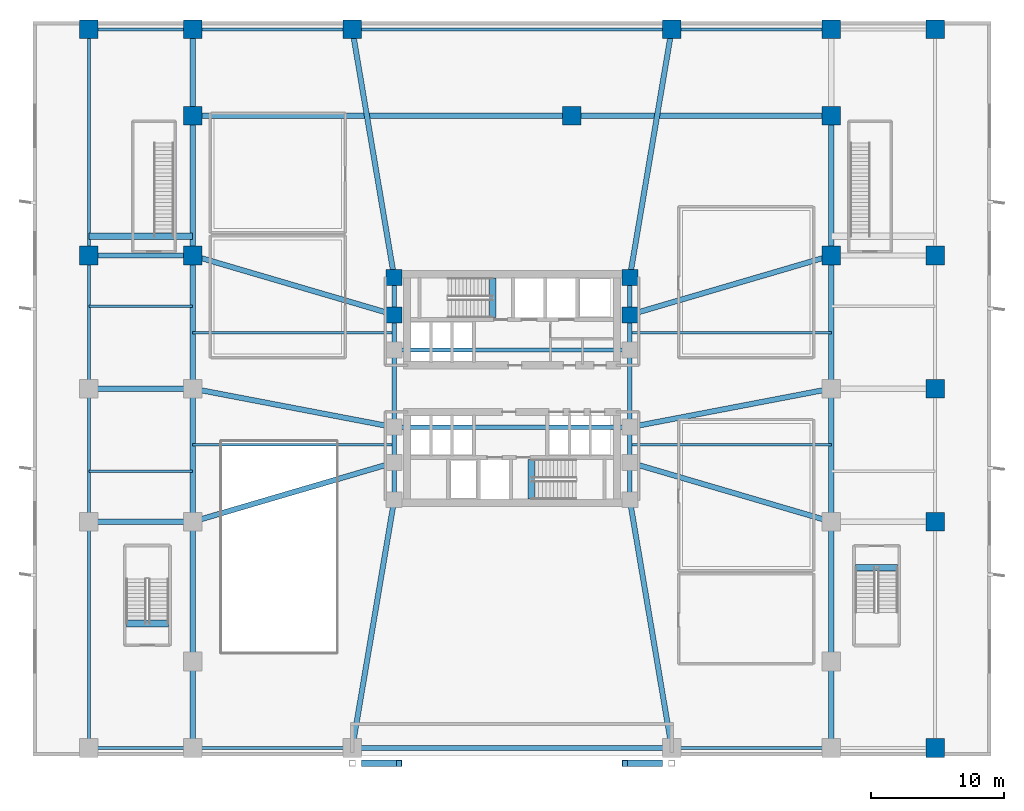
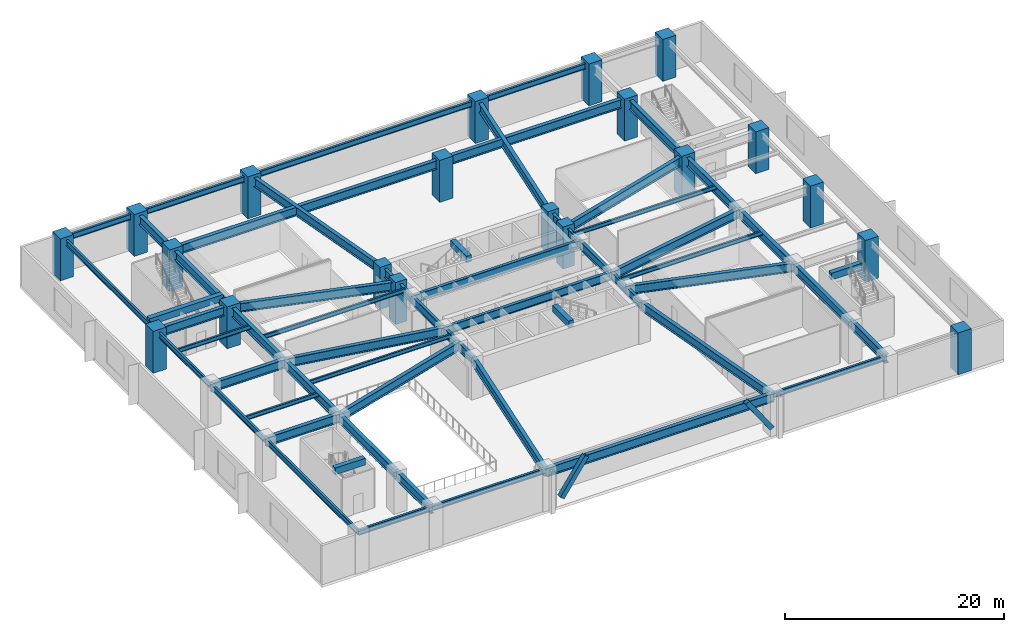
# One storey, part 2 of 12: 61 beams, 20 columns, 2 members.
"""IFC4 building model written with IfcOpenShell, lengths in metres."""

from ifc_helpers import new_model, si_unit, direction, frame, origin, origin_2d, place, context, subcontext, project, spatial, rectangle, hollow_rectangle, i_section, extrude, material, material_profile, profile_set, type_object, element, save


model = new_model("IFC4")

# Units and contexts
model_context = context("Model", 3, precision=1e-05, world=origin(), true_north=direction((0.0, 1.0)))
body_context = subcontext(model_context, "Body", "Model", "MODEL_VIEW")
ifc_project = project(units=[si_unit("LENGTHUNIT", "METRE"), si_unit("AREAUNIT", "SQUARE_METRE"), si_unit("VOLUMEUNIT", "CUBIC_METRE"), si_unit("PLANEANGLEUNIT", "RADIAN"), si_unit("MASSUNIT", "GRAM", prefix="KILO")], contexts=[model_context])

# Site, building, storey
site_placement = place(None, origin())
site = spatial("IfcSite", under=ifc_project, at=site_placement, CompositionType="ELEMENT")
building_placement = place(site_placement, origin())
building = spatial("IfcBuilding", under=site, at=building_placement, Name="Solmarez Civic Tower", CompositionType="ELEMENT")
storey_placement = place(building_placement, frame((0.0, 0.0, 5.39990234375)))
storey = spatial("IfcBuildingStorey", under=building, at=storey_placement, Name="L01", CompositionType="ELEMENT", Elevation=5.39990234375)

# Columns
ifc_material_1 = material(Name="Concrete C60/75", Category="concrete")
ifc_material_profile_1 = material_profile(ifc_material_1, rectangle(XDim=1.199951171875, YDim=1.199951171875, at=origin_2d()), Name="RC1200X1200")
ifc_profile_set_1 = profile_set([ifc_material_profile_1], Name="Concrete C60/75")
column_type_1 = type_object("IfcColumnType", Name="COL-RC1200", PredefinedType="COLUMN", material=ifc_profile_set_1)
for number, where, z_axis, x_axis, name in (
    (1, (-8.85009765625, 5.550048828125, 0.0), (0.0, 0.0, 1.0), (1.0, 0.0, 0.0), "L01 Structural Column HC4"),
    (2, (8.85009765625, 5.550048828125, 0.0), (0.0, 0.0, 1.0), (1.0, 0.0, 0.0), "L01 Structural Column HC8"),
    (3, (-8.85009765625, 8.35009765625, 0.0), (0.0, 0.0, 1.0), (1.0, 0.0, 0.0), "L01 Structural Column HC9"),
    (4, (8.85009765625, 8.35009765625, 0.0), (0.0, 0.0, 1.0), (1.0, 0.0, 0.0), "L01 Structural Column HC11"),
):
    element("IfcColumn", number, at=place(storey_placement, frame(where, z_axis=z_axis, x_axis=x_axis)), inside=storey, type_object=column_type_1, Name=name, PredefinedType="COLUMN", context=body_context, shape_type="SweptSolid", body=[
        extrude(rectangle(XDim=1.199951171875, YDim=1.199951171875, at=origin_2d()), origin(), (0.0, 0.0, 1.0), 4.68017578125),
    ])
ifc_material_profile_2 = material_profile(ifc_material_1, rectangle(XDim=1.39990234375, YDim=1.39990234375, at=origin_2d()), Name="RC1400X1400")
ifc_profile_set_2 = profile_set([ifc_material_profile_2], Name="Concrete C60/75")
column_type_2 = type_object("IfcColumnType", Name="COL-RC1400", PredefinedType="COLUMN", material=ifc_profile_set_2)
for number, where, z_axis, x_axis, name in (
    (5, (31.800048828125, -27.0, 0.0), (0.0, 0.0, 1.0), (1.0, 0.0, 0.0), "L01 Structural Column PC06"),
    (6, (-31.800048828125, 27.0, 0.0), (0.0, 0.0, 1.0), (1.0, 0.0, 0.0), "L01 Structural Column PC07"),
    (7, (-24.0, 27.0, 0.0), (0.0, 0.0, 1.0), (1.0, 0.0, 0.0), "L01 Structural Column PC08"),
    (8, (-12.0, 27.0, 0.0), (0.0, 0.0, 1.0), (1.0, 0.0, 0.0), "L01 Structural Column PC09"),
    (9, (12.0, 27.0, 0.0), (0.0, 0.0, 1.0), (1.0, 0.0, 0.0), "L01 Structural Column PC10"),
    (10, (24.0, 27.0, 0.0), (0.0, 0.0, 1.0), (1.0, 0.0, 0.0), "L01 Structural Column PC11"),
    (11, (31.800048828125, 27.0, 0.0), (0.0, 0.0, 1.0), (1.0, 0.0, 0.0), "L01 Structural Column PC12"),
    (12, (-31.800048828125, 10.0, 0.0), (0.0, 0.0, 1.0), (1.0, 0.0, 0.0), "L01 Structural Column PC15"),
    (13, (31.800048828125, -10.0, 0.0), (0.0, 0.0, 1.0), (1.0, 0.0, 0.0), "L01 Structural Column PC16"),
    (14, (31.800048828125, 0.0, 0.0), (0.0, 0.0, 1.0), (1.0, 0.0, 0.0), "L01 Structural Column PC17"),
    (15, (31.800048828125, 10.0, 0.0), (0.0, 0.0, 1.0), (1.0, 0.0, 0.0), "L01 Structural Column PC18"),
    (16, (-24.0, 10.0, 0.0), (0.0, 0.0, 1.0), (1.0, 0.0, 0.0), "L01 Structural Column PC21"),
    (17, (24.0, 10.0, 0.0), (0.0, 0.0, 1.0), (1.0, 0.0, 0.0), "L01 Structural Column PC24"),
    (18, (4.5, 20.5, 0.0), (0.0, 0.0, 1.0), (1.0, 0.0, 0.0), "L01 Structural Column PC25"),
    (19, (-24.0, 20.5, 0.0), (0.0, 0.0, 1.0), (1.0, 0.0, 0.0), "L01 Structural Column PC29"),
    (20, (24.0, 20.5, 0.0), (0.0, 0.0, 1.0), (1.0, 0.0, 0.0), "L01 Structural Column PC30"),
):
    element("IfcColumn", number, at=place(storey_placement, frame(where, z_axis=z_axis, x_axis=x_axis)), inside=storey, type_object=column_type_2, Name=name, PredefinedType="COLUMN", context=body_context, shape_type="SweptSolid", body=[
        extrude(rectangle(XDim=1.39990234375, YDim=1.39990234375, at=origin_2d()), origin(), (0.0, 0.0, 1.0), 4.68017578125),
    ])

# Beams
ifc_material_2 = material(Name="Steel S355", Category="steel")
ifc_material_profile_3 = material_profile(ifc_material_2, i_section(OverallWidth=0.19189453125, OverallDepth=0.462890625, WebThickness=0.010498046875, FlangeThickness=0.017578125, at=origin_2d()), Name="W18X60")
ifc_profile_set_3 = profile_set([ifc_material_profile_3], Name="Steel S355")
beam_type_1 = type_object("IfcBeamType", Name="BM-JS-W18X60", PredefinedType="JOIST", material=ifc_profile_set_3)
for number, where, z_axis, x_axis, name in (
    (21, (-24.0, -4.199951171875, 4.128173828125), (1.0, 0.0, 0.0), (0.0, 1.0, 0.0), "L01 Secondary Floor Joist JS-L01-WM1"),
    (22, (8.85009765625, -4.199951171875, 4.128173828125), (1.0, 0.0, 0.0), (0.0, 1.0, 0.0), "L01 Secondary Floor Joist JS-L01-EM1"),
):
    element("IfcBeam", number, at=place(storey_placement, frame(where, z_axis=z_axis, x_axis=x_axis)), inside=storey, type_object=beam_type_1, Name=name, PredefinedType="JOIST", context=body_context, shape_type="SweptSolid", body=[
        extrude(i_section(OverallWidth=0.19189453125, OverallDepth=0.462890625, WebThickness=0.010498046875, FlangeThickness=0.017578125, at=origin_2d()), origin(), (0.0, 0.0, 1.0), 15.14990234375),
    ])
beam_1_placement = place(storey_placement, frame((-31.800048828125, -6.199951171875, 4.128173828125), z_axis=(1.0, 0.0, 0.0), x_axis=(0.0, 1.0, 0.0)))
element("IfcBeam", 23, at=beam_1_placement, inside=storey, type_object=beam_type_1, Name="L01 Secondary Floor Joist JS-L01-WW1", PredefinedType="JOIST", context=body_context, shape_type="SweptSolid", body=[
    extrude(i_section(OverallWidth=0.19189453125, OverallDepth=0.462890625, WebThickness=0.010498046875, FlangeThickness=0.017578125, at=origin_2d()), origin(), (0.0, 0.0, 1.0), 7.800048828125),
])
for number, where, z_axis, x_axis, name in (
    (24, (-24.0, 4.199951171875, 4.128173828125), (1.0, 0.0, 0.0), (0.0, 1.0, 0.0), "L01 Secondary Floor Joist JS-L01-WM2"),
    (25, (8.85009765625, 4.199951171875, 4.128173828125), (1.0, 0.0, 0.0), (0.0, 1.0, 0.0), "L01 Secondary Floor Joist JS-L01-EM2"),
):
    element("IfcBeam", number, at=place(storey_placement, frame(where, z_axis=z_axis, x_axis=x_axis)), inside=storey, type_object=beam_type_1, Name=name, PredefinedType="JOIST", context=body_context, shape_type="SweptSolid", body=[
        extrude(i_section(OverallWidth=0.19189453125, OverallDepth=0.462890625, WebThickness=0.010498046875, FlangeThickness=0.017578125, at=origin_2d()), origin(), (0.0, 0.0, 1.0), 15.14990234375),
    ])
beam_2_placement = place(storey_placement, frame((-31.800048828125, 6.199951171875, 4.128173828125), z_axis=(1.0, 0.0, 0.0), x_axis=(0.0, 1.0, 0.0)))
element("IfcBeam", 26, at=beam_2_placement, inside=storey, type_object=beam_type_1, Name="L01 Secondary Floor Joist JS-L01-WW2", PredefinedType="JOIST", context=body_context, shape_type="SweptSolid", body=[
    extrude(i_section(OverallWidth=0.19189453125, OverallDepth=0.462890625, WebThickness=0.010498046875, FlangeThickness=0.017578125, at=origin_2d()), origin(), (0.0, 0.0, 1.0), 7.800048828125),
])
ifc_material_3 = material(Name="Concrete C50/60", Category="concrete")
ifc_material_profile_4 = material_profile(ifc_material_3, rectangle(XDim=0.5, YDim=0.75, at=origin_2d()), Name="RC500X750")
ifc_profile_set_4 = profile_set([ifc_material_profile_4], Name="Concrete C50/60")
beam_type_2 = type_object("IfcBeamType", Name="BM-PR-RC500X750", PredefinedType="BEAM", material=ifc_profile_set_4)
for number, where, z_axis, x_axis, name in (
    (27, (-1.449951171875, 5.340087890625, 4.31298828125), (0.0, 1.0, 0.0), (-1.0, 0.0, 0.0), "L01 North Stair Threshold Beam"),
    (28, (1.449951171875, -8.300048828125, 4.31298828125), (0.0, 1.0, 0.0), (-1.0, 0.0, 0.0), "L01 South Stair Threshold Beam"),
):
    element("IfcBeam", number, at=place(storey_placement, frame(where, z_axis=z_axis, x_axis=x_axis)), inside=storey, type_object=beam_type_2, Name=name, PredefinedType="BEAM", context=body_context, shape_type="SweptSolid", body=[
        extrude(rectangle(XDim=0.5, YDim=0.75, at=origin_2d()), origin(), (0.0, 0.0, 1.0), 2.9599609375),
    ])
for number, where, z_axis, x_axis, name in (
    (29, (-28.97998046875, -17.64990234375, 4.31103515625), (1.0, 0.0, 0.0), (0.0, 1.0, 0.0), "L01 West Podium Stair Threshold Beam"),
    (30, (25.820068359375, -13.449951171875, 4.31103515625), (1.0, 0.0, 0.0), (0.0, 1.0, 0.0), "L01 East Podium Stair Threshold Beam"),
):
    element("IfcBeam", number, at=place(storey_placement, frame(where, z_axis=z_axis, x_axis=x_axis)), inside=storey, type_object=beam_type_2, Name=name, PredefinedType="BEAM", context=body_context, shape_type="SweptSolid", body=[
        extrude(rectangle(XDim=0.5, YDim=0.75, at=origin_2d()), origin(), (0.0, 0.0, 1.0), 3.159912109375),
    ])
beam_3_placement = place(storey_placement, frame((-31.800048828125, 11.449951171875, 4.31103515625), z_axis=(1.0, 0.0, 0.0), x_axis=(0.0, 1.0, 0.0)))
element("IfcBeam", 31, at=beam_3_placement, inside=storey, type_object=beam_type_2, Name="L01 Atrium Stair Bottom Threshold Beam P3", PredefinedType="BEAM", context=body_context, shape_type="SweptSolid", body=[
    extrude(rectangle(XDim=0.5, YDim=0.75, at=origin_2d()), origin(), (0.0, 0.0, 1.0), 7.800048828125),
])
ifc_material_profile_5 = material_profile(ifc_material_2, i_section(OverallWidth=0.306884765625, OverallDepth=0.927001953125, WebThickness=0.019287109375, FlangeThickness=0.031982421875, at=origin_2d()), Name="W36X194")
ifc_profile_set_5 = profile_set([ifc_material_profile_5], Name="Steel S355")
beam_type_3 = type_object("IfcBeamType", Name="BM-PR-W36X194", PredefinedType="BEAM", material=ifc_profile_set_5)
beam_4_placement = place(storey_placement, frame((-8.85009765625, -8.35009765625, 3.89599609375), z_axis=(0.0, 1.0, 0.0), x_axis=(-1.0, 0.0, 0.0)))
element("IfcBeam", 32, at=beam_4_placement, inside=storey, type_object=beam_type_3, Name="L01 Primary Floor Beam BM-L01-HC12-HC1", PredefinedType="BEAM", context=body_context, shape_type="SweptSolid", body=[
    extrude(i_section(OverallWidth=0.306884765625, OverallDepth=0.927001953125, WebThickness=0.019287109375, FlangeThickness=0.031982421875, at=origin_2d()), origin(), (0.0, 0.0, 1.0), 2.800048828125),
])
beam_5_placement = place(storey_placement, frame((-8.85009765625, -5.550048828125, 3.89599609375), z_axis=(0.0, 1.0, 0.0), x_axis=(-1.0, 0.0, 0.0)))
element("IfcBeam", 33, at=beam_5_placement, inside=storey, type_object=beam_type_3, Name="L01 Primary Floor Beam BM-L01-HC1-HC2", PredefinedType="BEAM", context=body_context, shape_type="SweptSolid", body=[
    extrude(i_section(OverallWidth=0.306884765625, OverallDepth=0.927001953125, WebThickness=0.019287109375, FlangeThickness=0.031982421875, at=origin_2d()), origin(), (0.0, 0.0, 1.0), 2.650146484375),
])
beam_6_placement = place(storey_placement, frame((-8.85009765625, -2.89990234375, 3.89599609375), z_axis=(0.0, 1.0, 0.0), x_axis=(-1.0, 0.0, 0.0)))
element("IfcBeam", 34, at=beam_6_placement, inside=storey, type_object=beam_type_3, Name="L01 Primary Floor Beam BM-L01-HC2-HC3", PredefinedType="BEAM", context=body_context, shape_type="SweptSolid", body=[
    extrude(i_section(OverallWidth=0.306884765625, OverallDepth=0.927001953125, WebThickness=0.019287109375, FlangeThickness=0.031982421875, at=origin_2d()), origin(), (0.0, 0.0, 1.0), 5.7998046875),
])
beam_7_placement = place(storey_placement, frame((-8.85009765625, 2.89990234375, 3.89599609375), z_axis=(0.0, 1.0, 0.0), x_axis=(-1.0, 0.0, 0.0)))
element("IfcBeam", 35, at=beam_7_placement, inside=storey, type_object=beam_type_3, Name="L01 Primary Floor Beam BM-L01-HC3-HC4", PredefinedType="BEAM", context=body_context, shape_type="SweptSolid", body=[
    extrude(i_section(OverallWidth=0.306884765625, OverallDepth=0.927001953125, WebThickness=0.019287109375, FlangeThickness=0.031982421875, at=origin_2d()), origin(), (0.0, 0.0, 1.0), 2.650146484375),
])
for number, where, z_axis, x_axis, name in (
    (36, (-8.85009765625, 5.550048828125, 3.89599609375), (0.0, 1.0, 0.0), (-1.0, 0.0, 0.0), "L01 Primary Floor Beam BM-L01-HC4-HC9"),
    (37, (8.85009765625, -8.35009765625, 3.89599609375), (0.0, 1.0, 0.0), (-1.0, 0.0, 0.0), "L01 Primary Floor Beam BM-L01-HC10-HC5"),
):
    element("IfcBeam", number, at=place(storey_placement, frame(where, z_axis=z_axis, x_axis=x_axis)), inside=storey, type_object=beam_type_3, Name=name, PredefinedType="BEAM", context=body_context, shape_type="SweptSolid", body=[
        extrude(i_section(OverallWidth=0.306884765625, OverallDepth=0.927001953125, WebThickness=0.019287109375, FlangeThickness=0.031982421875, at=origin_2d()), origin(), (0.0, 0.0, 1.0), 2.800048828125),
    ])
beam_8_placement = place(storey_placement, frame((8.85009765625, -5.550048828125, 3.89599609375), z_axis=(0.0, 1.0, 0.0), x_axis=(-1.0, 0.0, 0.0)))
element("IfcBeam", 38, at=beam_8_placement, inside=storey, type_object=beam_type_3, Name="L01 Primary Floor Beam BM-L01-HC5-HC6", PredefinedType="BEAM", context=body_context, shape_type="SweptSolid", body=[
    extrude(i_section(OverallWidth=0.306884765625, OverallDepth=0.927001953125, WebThickness=0.019287109375, FlangeThickness=0.031982421875, at=origin_2d()), origin(), (0.0, 0.0, 1.0), 2.650146484375),
])
beam_9_placement = place(storey_placement, frame((8.85009765625, -2.89990234375, 3.89599609375), z_axis=(0.0, 1.0, 0.0), x_axis=(-1.0, 0.0, 0.0)))
element("IfcBeam", 39, at=beam_9_placement, inside=storey, type_object=beam_type_3, Name="L01 Primary Floor Beam BM-L01-HC6-HC7", PredefinedType="BEAM", context=body_context, shape_type="SweptSolid", body=[
    extrude(i_section(OverallWidth=0.306884765625, OverallDepth=0.927001953125, WebThickness=0.019287109375, FlangeThickness=0.031982421875, at=origin_2d()), origin(), (0.0, 0.0, 1.0), 5.7998046875),
])
beam_10_placement = place(storey_placement, frame((8.85009765625, 2.89990234375, 3.89599609375), z_axis=(0.0, 1.0, 0.0), x_axis=(-1.0, 0.0, 0.0)))
element("IfcBeam", 40, at=beam_10_placement, inside=storey, type_object=beam_type_3, Name="L01 Primary Floor Beam BM-L01-HC7-HC8", PredefinedType="BEAM", context=body_context, shape_type="SweptSolid", body=[
    extrude(i_section(OverallWidth=0.306884765625, OverallDepth=0.927001953125, WebThickness=0.019287109375, FlangeThickness=0.031982421875, at=origin_2d()), origin(), (0.0, 0.0, 1.0), 2.650146484375),
])
beam_11_placement = place(storey_placement, frame((8.85009765625, 5.550048828125, 3.89599609375), z_axis=(0.0, 1.0, 0.0), x_axis=(-1.0, 0.0, 0.0)))
element("IfcBeam", 41, at=beam_11_placement, inside=storey, type_object=beam_type_3, Name="L01 Primary Floor Beam BM-L01-HC8-HC11", PredefinedType="BEAM", context=body_context, shape_type="SweptSolid", body=[
    extrude(i_section(OverallWidth=0.306884765625, OverallDepth=0.927001953125, WebThickness=0.019287109375, FlangeThickness=0.031982421875, at=origin_2d()), origin(), (0.0, 0.0, 1.0), 2.800048828125),
])
for number, where, z_axis, x_axis, name in (
    (42, (-8.85009765625, -2.89990234375, 3.89599609375), (1.0, 0.0, 0.0), (0.0, 1.0, 0.0), "L01 Primary Floor Beam BM-L01-HC2-HC6"),
    (43, (-8.85009765625, 2.89990234375, 3.89599609375), (1.0, 0.0, 0.0), (0.0, 1.0, 0.0), "L01 Primary Floor Beam BM-L01-HC3-HC7"),
):
    element("IfcBeam", number, at=place(storey_placement, frame(where, z_axis=z_axis, x_axis=x_axis)), inside=storey, type_object=beam_type_3, Name=name, PredefinedType="BEAM", context=body_context, shape_type="SweptSolid", body=[
        extrude(i_section(OverallWidth=0.306884765625, OverallDepth=0.927001953125, WebThickness=0.019287109375, FlangeThickness=0.031982421875, at=origin_2d()), origin(), (0.0, 0.0, 1.0), 17.7001953125),
    ])
ifc_material_profile_6 = material_profile(ifc_material_2, i_section(OverallWidth=0.39892578125, OverallDepth=0.98193359375, WebThickness=0.0166015625, FlangeThickness=0.027099609375, at=origin_2d()), Name="W40X199")
ifc_profile_set_6 = profile_set([ifc_material_profile_6], Name="Steel S355")
beam_type_4 = type_object("IfcBeamType", Name="BM-PR-W40X199", PredefinedType="BEAM", material=ifc_profile_set_6)
beam_12_placement = place(storey_placement, frame((-12.0, -27.0, 3.869140625), z_axis=(1.0, 0.0, 0.0), x_axis=(0.0, 1.0, 0.0)))
element("IfcBeam", 44, at=beam_12_placement, inside=storey, type_object=beam_type_4, Name="L01 Primary Floor Beam BM-L01-PC03-PC04", PredefinedType="BEAM", context=body_context, shape_type="SweptSolid", body=[
    extrude(i_section(OverallWidth=0.39892578125, OverallDepth=0.98193359375, WebThickness=0.0166015625, FlangeThickness=0.027099609375, at=origin_2d()), origin(), (0.0, 0.0, 1.0), 24.0),
])
beam_13_placement = place(storey_placement, frame((-24.0, 20.5, 3.869140625), z_axis=(1.0, 0.0, 0.0), x_axis=(0.0, 1.0, 0.0)))
element("IfcBeam", 45, at=beam_13_placement, inside=storey, type_object=beam_type_4, Name="L01 Primary Floor Beam BM-L01-PC29-PC25", PredefinedType="BEAM", context=body_context, shape_type="SweptSolid", body=[
    extrude(i_section(OverallWidth=0.39892578125, OverallDepth=0.98193359375, WebThickness=0.0166015625, FlangeThickness=0.027099609375, at=origin_2d()), origin(), (0.0, 0.0, 1.0), 28.5),
])
beam_14_placement = place(storey_placement, frame((4.5, 20.5, 3.869140625), z_axis=(1.0, 0.0, 0.0), x_axis=(0.0, 1.0, 0.0)))
element("IfcBeam", 46, at=beam_14_placement, inside=storey, type_object=beam_type_4, Name="L01 Primary Floor Beam BM-L01-PC25-PC30", PredefinedType="BEAM", context=body_context, shape_type="SweptSolid", body=[
    extrude(i_section(OverallWidth=0.39892578125, OverallDepth=0.98193359375, WebThickness=0.0166015625, FlangeThickness=0.027099609375, at=origin_2d()), origin(), (0.0, 0.0, 1.0), 19.5),
])
beam_15_placement = place(storey_placement, frame((-24.0, -27.0, 3.869140625), z_axis=(0.0, 1.0, 0.0), x_axis=(-1.0, 0.0, 0.0)))
element("IfcBeam", 47, at=beam_15_placement, inside=storey, type_object=beam_type_4, Name="L01 Primary Floor Beam BM-L01-PC02-PC27", PredefinedType="BEAM", context=body_context, shape_type="SweptSolid", body=[
    extrude(i_section(OverallWidth=0.39892578125, OverallDepth=0.98193359375, WebThickness=0.0166015625, FlangeThickness=0.027099609375, at=origin_2d()), origin(), (0.0, 0.0, 1.0), 6.5),
])
beam_16_placement = place(storey_placement, frame((-24.0, -20.5, 3.869140625), z_axis=(0.0, 1.0, 0.0), x_axis=(-1.0, 0.0, 0.0)))
element("IfcBeam", 48, at=beam_16_placement, inside=storey, type_object=beam_type_4, Name="L01 Primary Floor Beam BM-L01-PC27-PC19", PredefinedType="BEAM", context=body_context, shape_type="SweptSolid", body=[
    extrude(i_section(OverallWidth=0.39892578125, OverallDepth=0.98193359375, WebThickness=0.0166015625, FlangeThickness=0.027099609375, at=origin_2d()), origin(), (0.0, 0.0, 1.0), 10.5),
])
for number, where, z_axis, x_axis, name in (
    (49, (-24.0, -10.0, 3.869140625), (0.0, 1.0, 0.0), (-1.0, 0.0, 0.0), "L01 Primary Floor Beam BM-L01-PC19-PC20"),
    (50, (-24.0, 0.0, 3.869140625), (0.0, 1.0, 0.0), (-1.0, 0.0, 0.0), "L01 Primary Floor Beam BM-L01-PC20-PC21"),
):
    element("IfcBeam", number, at=place(storey_placement, frame(where, z_axis=z_axis, x_axis=x_axis)), inside=storey, type_object=beam_type_4, Name=name, PredefinedType="BEAM", context=body_context, shape_type="SweptSolid", body=[
        extrude(i_section(OverallWidth=0.39892578125, OverallDepth=0.98193359375, WebThickness=0.0166015625, FlangeThickness=0.027099609375, at=origin_2d()), origin(), (0.0, 0.0, 1.0), 10.0),
    ])
beam_17_placement = place(storey_placement, frame((-24.0, 10.0, 3.869140625), z_axis=(0.0, 1.0, 0.0), x_axis=(-1.0, 0.0, 0.0)))
element("IfcBeam", 51, at=beam_17_placement, inside=storey, type_object=beam_type_4, Name="L01 Primary Floor Beam BM-L01-PC21-PC29", PredefinedType="BEAM", context=body_context, shape_type="SweptSolid", body=[
    extrude(i_section(OverallWidth=0.39892578125, OverallDepth=0.98193359375, WebThickness=0.0166015625, FlangeThickness=0.027099609375, at=origin_2d()), origin(), (0.0, 0.0, 1.0), 10.5),
])
for number, where, z_axis, x_axis, name in (
    (52, (-24.0, 20.5, 3.869140625), (0.0, 1.0, 0.0), (-1.0, 0.0, 0.0), "L01 Primary Floor Beam BM-L01-PC29-PC08"),
    (53, (24.0, -27.0, 3.869140625), (0.0, 1.0, 0.0), (-1.0, 0.0, 0.0), "L01 Primary Floor Beam BM-L01-PC05-PC28"),
):
    element("IfcBeam", number, at=place(storey_placement, frame(where, z_axis=z_axis, x_axis=x_axis)), inside=storey, type_object=beam_type_4, Name=name, PredefinedType="BEAM", context=body_context, shape_type="SweptSolid", body=[
        extrude(i_section(OverallWidth=0.39892578125, OverallDepth=0.98193359375, WebThickness=0.0166015625, FlangeThickness=0.027099609375, at=origin_2d()), origin(), (0.0, 0.0, 1.0), 6.5),
    ])
beam_18_placement = place(storey_placement, frame((24.0, -20.5, 3.869140625), z_axis=(0.0, 1.0, 0.0), x_axis=(-1.0, 0.0, 0.0)))
element("IfcBeam", 54, at=beam_18_placement, inside=storey, type_object=beam_type_4, Name="L01 Primary Floor Beam BM-L01-PC28-PC22", PredefinedType="BEAM", context=body_context, shape_type="SweptSolid", body=[
    extrude(i_section(OverallWidth=0.39892578125, OverallDepth=0.98193359375, WebThickness=0.0166015625, FlangeThickness=0.027099609375, at=origin_2d()), origin(), (0.0, 0.0, 1.0), 10.5),
])
for number, where, z_axis, x_axis, name in (
    (55, (24.0, -10.0, 3.869140625), (0.0, 1.0, 0.0), (-1.0, 0.0, 0.0), "L01 Primary Floor Beam BM-L01-PC22-PC23"),
    (56, (24.0, 0.0, 3.869140625), (0.0, 1.0, 0.0), (-1.0, 0.0, 0.0), "L01 Primary Floor Beam BM-L01-PC23-PC24"),
):
    element("IfcBeam", number, at=place(storey_placement, frame(where, z_axis=z_axis, x_axis=x_axis)), inside=storey, type_object=beam_type_4, Name=name, PredefinedType="BEAM", context=body_context, shape_type="SweptSolid", body=[
        extrude(i_section(OverallWidth=0.39892578125, OverallDepth=0.98193359375, WebThickness=0.0166015625, FlangeThickness=0.027099609375, at=origin_2d()), origin(), (0.0, 0.0, 1.0), 10.0),
    ])
beam_19_placement = place(storey_placement, frame((24.0, 10.0, 3.869140625), z_axis=(0.0, 1.0, 0.0), x_axis=(-1.0, 0.0, 0.0)))
element("IfcBeam", 57, at=beam_19_placement, inside=storey, type_object=beam_type_4, Name="L01 Primary Floor Beam BM-L01-PC24-PC30", PredefinedType="BEAM", context=body_context, shape_type="SweptSolid", body=[
    extrude(i_section(OverallWidth=0.39892578125, OverallDepth=0.98193359375, WebThickness=0.0166015625, FlangeThickness=0.027099609375, at=origin_2d()), origin(), (0.0, 0.0, 1.0), 10.5),
])
for number, where, z_axis, x_axis, name in (
    (58, (-31.800048828125, -10.0, 3.869140625), (1.0, 0.0, 0.0), (0.0, 1.0, 0.0), "L01 Primary Floor Beam BM-L01-PC13-PC19"),
    (59, (-31.800048828125, 0.0, 3.869140625), (1.0, 0.0, 0.0), (0.0, 1.0, 0.0), "L01 Primary Floor Beam BM-L01-PC14-PC20"),
    (60, (-31.800048828125, 10.0, 3.869140625), (1.0, 0.0, 0.0), (0.0, 1.0, 0.0), "L01 Primary Floor Beam BM-L01-PC15-PC21"),
):
    element("IfcBeam", number, at=place(storey_placement, frame(where, z_axis=z_axis, x_axis=x_axis)), inside=storey, type_object=beam_type_4, Name=name, PredefinedType="BEAM", context=body_context, shape_type="SweptSolid", body=[
        extrude(i_section(OverallWidth=0.39892578125, OverallDepth=0.98193359375, WebThickness=0.0166015625, FlangeThickness=0.027099609375, at=origin_2d()), origin(), (0.0, 0.0, 1.0), 7.800048828125),
    ])
beam_20_placement = place(storey_placement, frame((-24.0, -10.0, 3.869140625), z_axis=(0.959466630969, 0.281822256143, 0.0), x_axis=(-0.281822256143, 0.959466630969, 0.0)))
element("IfcBeam", 61, at=beam_20_placement, inside=storey, type_object=beam_type_4, Name="L01 Primary Floor Beam BM-L01-PC19-HC1", PredefinedType="BEAM", context=body_context, shape_type="SweptSolid", body=[
    extrude(i_section(OverallWidth=0.39892578125, OverallDepth=0.98193359375, WebThickness=0.0166015625, FlangeThickness=0.027099609375, at=origin_2d()), origin(), (0.0, 0.0, 1.0), 15.7900390625),
])
beam_21_placement = place(storey_placement, frame((-24.0, 0.0, 3.869140625), z_axis=(0.982168874333, -0.188000803966, 0.0), x_axis=(0.188000803966, 0.982168874333, 0.0)))
element("IfcBeam", 62, at=beam_21_placement, inside=storey, type_object=beam_type_4, Name="L01 Primary Floor Beam BM-L01-PC20-HC2", PredefinedType="BEAM", context=body_context, shape_type="SweptSolid", body=[
    extrude(i_section(OverallWidth=0.39892578125, OverallDepth=0.98193359375, WebThickness=0.0166015625, FlangeThickness=0.027099609375, at=origin_2d()), origin(), (0.0, 0.0, 1.0), 15.425048828125),
])
for number, where, z_axis, x_axis, name in (
    (63, (-24.0, 10.0, 3.869140625), (0.959466630969, -0.281822256143, 0.0), (0.281822256143, 0.959466630969, 0.0), "L01 Primary Floor Beam BM-L01-PC21-HC4"),
    (64, (24.0, -10.0, 3.869140625), (-0.959466630969, 0.281822256143, 0.0), (-0.281822256143, -0.959466630969, 0.0), "L01 Primary Floor Beam BM-L01-PC22-HC5"),
):
    element("IfcBeam", number, at=place(storey_placement, frame(where, z_axis=z_axis, x_axis=x_axis)), inside=storey, type_object=beam_type_4, Name=name, PredefinedType="BEAM", context=body_context, shape_type="SweptSolid", body=[
        extrude(i_section(OverallWidth=0.39892578125, OverallDepth=0.98193359375, WebThickness=0.0166015625, FlangeThickness=0.027099609375, at=origin_2d()), origin(), (0.0, 0.0, 1.0), 15.7900390625),
    ])
beam_22_placement = place(storey_placement, frame((24.0, 0.0, 3.869140625), z_axis=(-0.982168874333, -0.188000803966, 0.0), x_axis=(0.188000803966, -0.982168874333, 0.0)))
element("IfcBeam", 65, at=beam_22_placement, inside=storey, type_object=beam_type_4, Name="L01 Primary Floor Beam BM-L01-PC23-HC6", PredefinedType="BEAM", context=body_context, shape_type="SweptSolid", body=[
    extrude(i_section(OverallWidth=0.39892578125, OverallDepth=0.98193359375, WebThickness=0.0166015625, FlangeThickness=0.027099609375, at=origin_2d()), origin(), (0.0, 0.0, 1.0), 15.425048828125),
])
beam_23_placement = place(storey_placement, frame((24.0, 10.0, 3.869140625), z_axis=(-0.959466630969, -0.281822256143, 0.0), x_axis=(0.281822256143, -0.959466630969, 0.0)))
element("IfcBeam", 66, at=beam_23_placement, inside=storey, type_object=beam_type_4, Name="L01 Primary Floor Beam BM-L01-PC24-HC8", PredefinedType="BEAM", context=body_context, shape_type="SweptSolid", body=[
    extrude(i_section(OverallWidth=0.39892578125, OverallDepth=0.98193359375, WebThickness=0.0166015625, FlangeThickness=0.027099609375, at=origin_2d()), origin(), (0.0, 0.0, 1.0), 15.7900390625),
])
for number, where, z_axis, x_axis, name in (
    (67, (-12.0, -27.0, 3.869140625), (0.166537824737, 0.986035066786, 0.0), (-0.986035066786, 0.166537824737, 0.0), "L01 Primary Floor Beam BM-L01-PC03-HC12"),
    (68, (12.0, -27.0, 3.869140625), (-0.166537824737, 0.986035066786, 0.0), (-0.986035066786, -0.166537824737, 0.0), "L01 Primary Floor Beam BM-L01-PC04-HC10"),
    (69, (-12.0, 27.0, 3.869140625), (0.166537824737, -0.986035066786, 0.0), (0.986035066786, 0.166537824737, 0.0), "L01 Primary Floor Beam BM-L01-PC09-HC9"),
    (70, (12.0, 27.0, 3.869140625), (-0.166537824737, -0.986035066786, 0.0), (0.986035066786, -0.166537824737, 0.0), "L01 Primary Floor Beam BM-L01-PC10-HC11"),
):
    element("IfcBeam", number, at=place(storey_placement, frame(where, z_axis=z_axis, x_axis=x_axis)), inside=storey, type_object=beam_type_4, Name=name, PredefinedType="BEAM", context=body_context, shape_type="SweptSolid", body=[
        extrude(i_section(OverallWidth=0.39892578125, OverallDepth=0.98193359375, WebThickness=0.0166015625, FlangeThickness=0.027099609375, at=origin_2d()), origin(), (0.0, 0.0, 1.0), 18.9140625),
    ])
ifc_material_profile_7 = material_profile(ifc_material_2, i_section(OverallWidth=0.22900390625, OverallDepth=0.612060546875, WebThickness=0.011962890625, FlangeThickness=0.01953125, at=origin_2d()), Name="W24X84")
ifc_profile_set_7 = profile_set([ifc_material_profile_7], Name="Steel S355")
beam_type_5 = type_object("IfcBeamType", Name="BM-SP-W24X84", PredefinedType="SPANDREL", material=ifc_profile_set_7)
beam_24_placement = place(storey_placement, frame((-31.800048828125, -27.0, 4.05419921875), z_axis=(1.0, 0.0, 0.0), x_axis=(0.0, 1.0, 0.0)))
element("IfcBeam", 71, at=beam_24_placement, inside=storey, type_object=beam_type_5, Name="L01 Perimeter Spandrel Beam BM-L01-PC01-PC02", PredefinedType="SPANDREL", context=body_context, shape_type="SweptSolid", body=[
    extrude(i_section(OverallWidth=0.22900390625, OverallDepth=0.612060546875, WebThickness=0.011962890625, FlangeThickness=0.01953125, at=origin_2d()), origin(), (0.0, 0.0, 1.0), 7.800048828125),
])
for number, where, z_axis, x_axis, name in (
    (72, (-24.0, -27.0, 4.05419921875), (1.0, 0.0, 0.0), (0.0, 1.0, 0.0), "L01 Perimeter Spandrel Beam BM-L01-PC02-PC03"),
    (73, (12.0, -27.0, 4.05419921875), (1.0, 0.0, 0.0), (0.0, 1.0, 0.0), "L01 Perimeter Spandrel Beam BM-L01-PC04-PC05"),
):
    element("IfcBeam", number, at=place(storey_placement, frame(where, z_axis=z_axis, x_axis=x_axis)), inside=storey, type_object=beam_type_5, Name=name, PredefinedType="SPANDREL", context=body_context, shape_type="SweptSolid", body=[
        extrude(i_section(OverallWidth=0.22900390625, OverallDepth=0.612060546875, WebThickness=0.011962890625, FlangeThickness=0.01953125, at=origin_2d()), origin(), (0.0, 0.0, 1.0), 12.0),
    ])
beam_25_placement = place(storey_placement, frame((-31.800048828125, 27.0, 4.05419921875), z_axis=(1.0, 0.0, 0.0), x_axis=(0.0, 1.0, 0.0)))
element("IfcBeam", 74, at=beam_25_placement, inside=storey, type_object=beam_type_5, Name="L01 Perimeter Spandrel Beam BM-L01-PC07-PC08", PredefinedType="SPANDREL", context=body_context, shape_type="SweptSolid", body=[
    extrude(i_section(OverallWidth=0.22900390625, OverallDepth=0.612060546875, WebThickness=0.011962890625, FlangeThickness=0.01953125, at=origin_2d()), origin(), (0.0, 0.0, 1.0), 7.800048828125),
])
beam_26_placement = place(storey_placement, frame((-24.0, 27.0, 4.05419921875), z_axis=(1.0, 0.0, 0.0), x_axis=(0.0, 1.0, 0.0)))
element("IfcBeam", 75, at=beam_26_placement, inside=storey, type_object=beam_type_5, Name="L01 Perimeter Spandrel Beam BM-L01-PC08-PC09", PredefinedType="SPANDREL", context=body_context, shape_type="SweptSolid", body=[
    extrude(i_section(OverallWidth=0.22900390625, OverallDepth=0.612060546875, WebThickness=0.011962890625, FlangeThickness=0.01953125, at=origin_2d()), origin(), (0.0, 0.0, 1.0), 12.0),
])
beam_27_placement = place(storey_placement, frame((-12.0, 27.0, 4.05419921875), z_axis=(1.0, 0.0, 0.0), x_axis=(0.0, 1.0, 0.0)))
element("IfcBeam", 76, at=beam_27_placement, inside=storey, type_object=beam_type_5, Name="L01 Perimeter Spandrel Beam BM-L01-PC09-PC10", PredefinedType="SPANDREL", context=body_context, shape_type="SweptSolid", body=[
    extrude(i_section(OverallWidth=0.22900390625, OverallDepth=0.612060546875, WebThickness=0.011962890625, FlangeThickness=0.01953125, at=origin_2d()), origin(), (0.0, 0.0, 1.0), 24.0),
])
beam_28_placement = place(storey_placement, frame((12.0, 27.0, 4.05419921875), z_axis=(1.0, 0.0, 0.0), x_axis=(0.0, 1.0, 0.0)))
element("IfcBeam", 77, at=beam_28_placement, inside=storey, type_object=beam_type_5, Name="L01 Perimeter Spandrel Beam BM-L01-PC10-PC11", PredefinedType="SPANDREL", context=body_context, shape_type="SweptSolid", body=[
    extrude(i_section(OverallWidth=0.22900390625, OverallDepth=0.612060546875, WebThickness=0.011962890625, FlangeThickness=0.01953125, at=origin_2d()), origin(), (0.0, 0.0, 1.0), 12.0),
])
beam_29_placement = place(storey_placement, frame((-31.800048828125, -27.0, 4.05419921875), z_axis=(0.0, 1.0, 0.0), x_axis=(-1.0, 0.0, 0.0)))
element("IfcBeam", 78, at=beam_29_placement, inside=storey, type_object=beam_type_5, Name="L01 Perimeter Spandrel Beam BM-L01-PC01-PC13", PredefinedType="SPANDREL", context=body_context, shape_type="SweptSolid", body=[
    extrude(i_section(OverallWidth=0.22900390625, OverallDepth=0.612060546875, WebThickness=0.011962890625, FlangeThickness=0.01953125, at=origin_2d()), origin(), (0.0, 0.0, 1.0), 17.0),
])
for number, where, z_axis, x_axis, name in (
    (79, (-31.800048828125, -10.0, 4.05419921875), (0.0, 1.0, 0.0), (-1.0, 0.0, 0.0), "L01 Perimeter Spandrel Beam BM-L01-PC13-PC14"),
    (80, (-31.800048828125, 0.0, 4.05419921875), (0.0, 1.0, 0.0), (-1.0, 0.0, 0.0), "L01 Perimeter Spandrel Beam BM-L01-PC14-PC15"),
):
    element("IfcBeam", number, at=place(storey_placement, frame(where, z_axis=z_axis, x_axis=x_axis)), inside=storey, type_object=beam_type_5, Name=name, PredefinedType="SPANDREL", context=body_context, shape_type="SweptSolid", body=[
        extrude(i_section(OverallWidth=0.22900390625, OverallDepth=0.612060546875, WebThickness=0.011962890625, FlangeThickness=0.01953125, at=origin_2d()), origin(), (0.0, 0.0, 1.0), 10.0),
    ])
beam_30_placement = place(storey_placement, frame((-31.800048828125, 10.0, 4.05419921875), z_axis=(0.0, 1.0, 0.0), x_axis=(-1.0, 0.0, 0.0)))
element("IfcBeam", 81, at=beam_30_placement, inside=storey, type_object=beam_type_5, Name="L01 Perimeter Spandrel Beam BM-L01-PC15-PC07", PredefinedType="SPANDREL", context=body_context, shape_type="SweptSolid", body=[
    extrude(i_section(OverallWidth=0.22900390625, OverallDepth=0.612060546875, WebThickness=0.011962890625, FlangeThickness=0.01953125, at=origin_2d()), origin(), (0.0, 0.0, 1.0), 17.0),
])

# Members
ifc_material_profile_8 = material_profile(ifc_material_2, hollow_rectangle(XDim=0.5, YDim=0.5, WallThickness=0.02490234375, at=origin_2d()), Name="HSS500X500X25")
ifc_profile_set_8 = profile_set([ifc_material_profile_8], Name="Steel S355")
member_type = type_object("IfcMemberType", Name="MEM-ARCH-HSS500", PredefinedType="USERDEFINED", material=ifc_profile_set_8)
for number, where, z_axis, x_axis, name in (
    (82, (-11.0869140625, -28.14990234375, 1.439208984375), (0.568721472761, 0.0, 0.822530173563), (0.0, 1.0, 0.0), "South Civic Arch Rib Segment 2"),
    (83, (8.485107421875, -28.14990234375, 5.2021484375), (0.568721472761, 0.0, -0.822530173563), (0.0, 1.0, 0.0), "South Civic Arch Rib Segment 7"),
):
    element("IfcMember", number, at=place(storey_placement, frame(where, z_axis=z_axis, x_axis=x_axis)), inside=storey, type_object=member_type, Name=name, ObjectType="ARCH_RIB", PredefinedType="USERDEFINED", context=body_context, shape_type="SweptSolid", body=[
        extrude(hollow_rectangle(XDim=0.5, YDim=0.5, WallThickness=0.02490234375, at=origin_2d()), origin(), (0.0, 0.0, 1.0), 4.574951171875),
    ])

save(model, "model.ifc")
